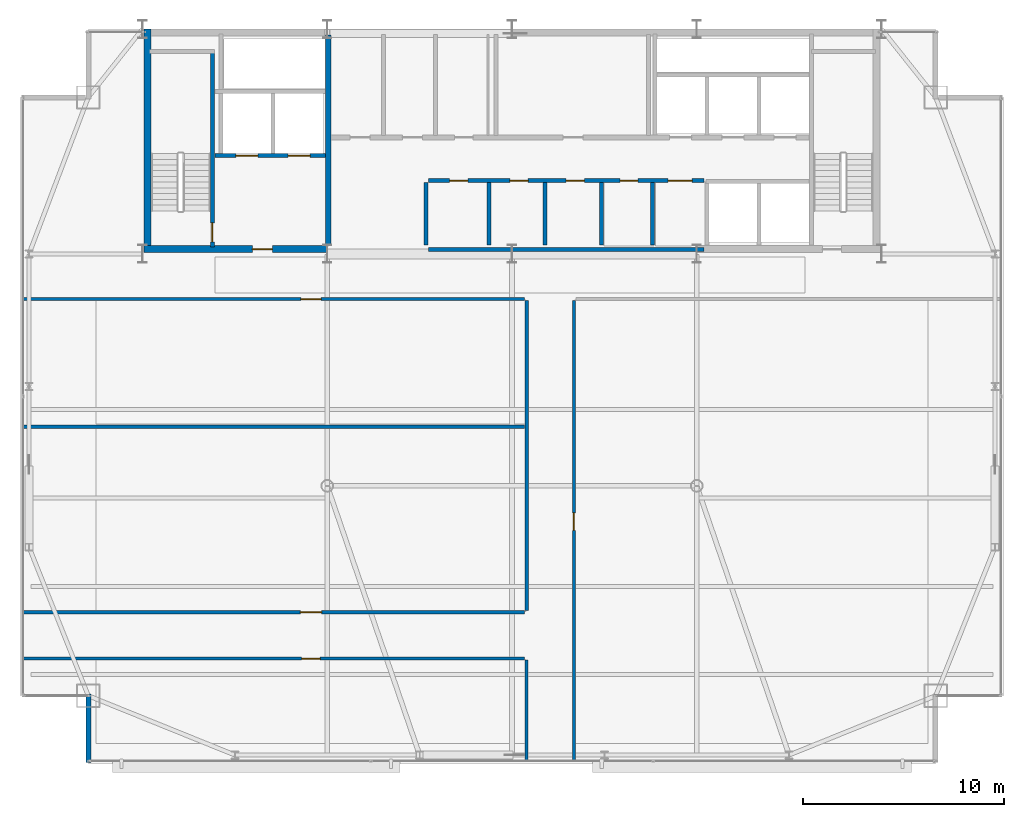
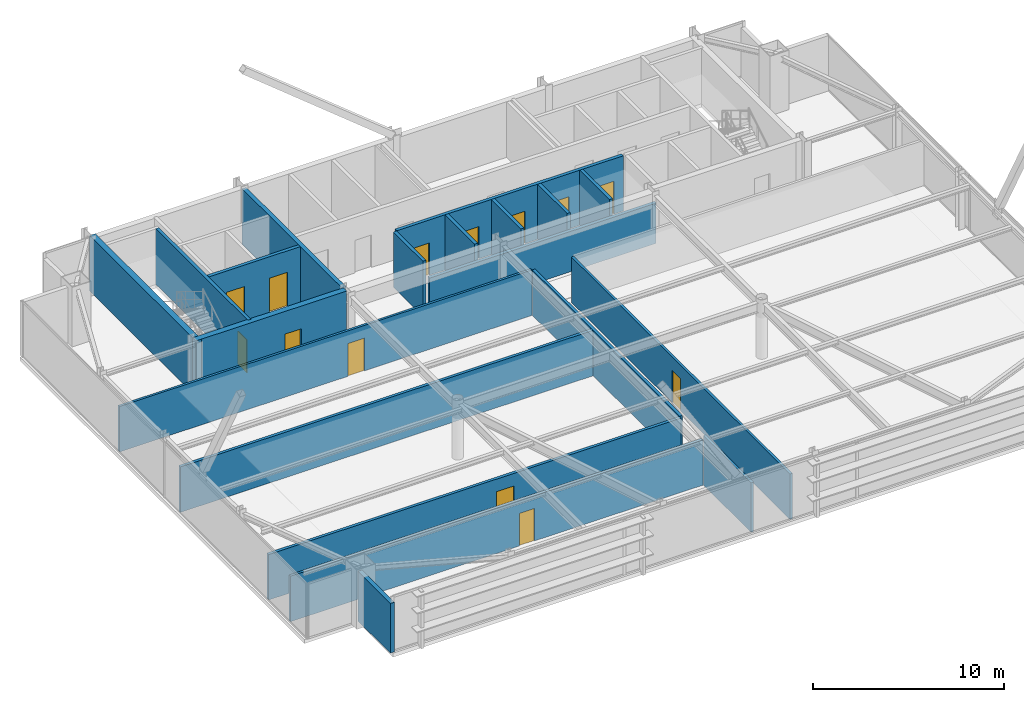
# One storey, part 24 of 27: 20 walls, 13 doors, 13 openings.
"""IFC4 building model written with IfcOpenShell, lengths in metres."""

from ifc_helpers import new_model, si_unit, direction, frame, frame_2d, origin, place, context, subcontext, project, spatial, rectangle, extrude, source, transform, mapped, material, layer, layer_set, type_object, type_shapes, element, fill, save


model = new_model("IFC4")

# Units and contexts
model_context = context("Model", 3, precision=1e-05, world=origin(), true_north=direction((0.0, 1.0)))
body_context = subcontext(model_context, "Body", "Model", "MODEL_VIEW")
ifc_project = project(units=[si_unit("LENGTHUNIT", "METRE"), si_unit("AREAUNIT", "SQUARE_METRE"), si_unit("VOLUMEUNIT", "CUBIC_METRE"), si_unit("PLANEANGLEUNIT", "RADIAN"), si_unit("MASSUNIT", "GRAM", prefix="KILO")], contexts=[model_context])

# Site, building, storey
site_placement = place(None, origin())
site = spatial("IfcSite", under=ifc_project, at=site_placement, CompositionType="ELEMENT")
building_placement = place(site_placement, origin())
building = spatial("IfcBuilding", under=site, at=building_placement, Name="Varnel Quay Broadcast Tower", CompositionType="ELEMENT")
storey_placement = place(building_placement, frame((0.0, 0.0, 243.199951171875)))
storey = spatial("IfcBuildingStorey", under=building, at=storey_placement, Name="L60", CompositionType="ELEMENT", Elevation=243.199951171875)

# Wall, opening, door
ifc_material_1 = material(Name="Concrete CSA A23.3 C50/60", Category="concrete")
ifc_layer_1 = layer(ifc_material_1, 0.199951171875, Name="Concrete CSA A23.3 C50/60")
ifc_layer_set_1 = layer_set([ifc_layer_1], Name="Concrete CSA A23.3 C50/60")
wall_type_1 = type_object("IfcWallType", Name="Wall_CoreShaftShear200", PredefinedType="SHEAR", material=ifc_layer_set_1)
wall_1_placement = place(storey_placement, frame((19.080078125, 35.949951171875, 0.0), z_axis=(0.0, 0.0, 1.0), x_axis=(0.0, 1.0, 0.0)))
wall_1 = element("IfcWall", 1, at=wall_1_placement, inside=storey, type_object=wall_type_1, Name="L60 Stair 1 East Structural Wall", PredefinedType="SHEAR", context=body_context, shape_type="SweptSolid", body=[
    extrude(rectangle(XDim=9.650146484375, YDim=0.199951171875, at=frame_2d((4.8251953125, 0.0))), origin(), (0.0, 0.0, 1.0), 3.550048828125),
])
opening_1_placement = place(wall_1_placement, frame((0.25, 0.0, 0.0)))
opening_1 = element("IfcOpeningElement", 2, at=opening_1_placement, cuts=wall_1, Name="Opening D-L60-S1", PredefinedType="OPENING", context=body_context, shape_type="SweptSolid", body=[
    extrude(rectangle(XDim=0.949951171875, YDim=2.10009765625, at=frame_2d((0.47509765625, 1.050048828125))), frame((0.0, 0.10986328125, 0.0), z_axis=(0.0, -1.0, 0.0), x_axis=(1.0, 0.0, 0.0)), (0.0, 0.0, 1.0), 0.219970703125),
])
ifc_material_2 = material(Name="Insulated Fire-Rated Hollow Steel Door", Category="steel")
door_type_1 = type_object("IfcDoorType", Name="Door_FireStair950", OperationType="NOTDEFINED", PredefinedType="DOOR", material=ifc_material_2)
shared_shape_1 = source(origin(), body_context, "Body", "SweptSolid", [
    extrude(rectangle(XDim=0.949951171875, YDim=2.10009765625, at=frame_2d((0.47509765625, 1.050048828125))), frame((0.0, 0.02490234375, 0.0), z_axis=(0.0, -1.0, 0.0), x_axis=(1.0, 0.0, 0.0)), (0.0, 0.0, 1.0), 0.050048828125),
])
type_shapes(door_type_1, [shared_shape_1])
door_1_placement = place(opening_1_placement, origin())
door_1 = element("IfcDoor", 3, at=door_1_placement, inside=storey, type_object=door_type_1, Name="L60 Stair 1 Fire Door", OperationType="SINGLE_SWING_RIGHT", OverallHeight=2.10009765625, OverallWidth=0.949951171875, PredefinedType="DOOR", context=body_context, shape_type="MappedRepresentation", body=[
    mapped(shared_shape_1, transform((0.0, 0.0, 0.0), x_axis=(1.0, 0.0, 0.0), y_axis=(0.0, 1.0, 0.0), z_axis=(0.0, 0.0, 1.0), scale=1.0)),
])
fill(opening_1, door_1)

# Wall, openings, doors
wall_2_placement = place(storey_placement, frame((19.199951171875, 40.5, 0.0), z_axis=(0.0, 0.0, 1.0), x_axis=(1.0, 0.0, 0.0)))
wall_2 = element("IfcWall", 4, at=wall_2_placement, inside=storey, type_object=wall_type_1, Name="L60 Firefighter Lift Shaft Front Wall", PredefinedType="SHEAR", context=body_context, shape_type="SweptSolid", body=[
    extrude(rectangle(XDim=5.52001953125, YDim=0.199951171875, at=frame_2d((2.760009765625, 0.0))), origin(), (0.0, 0.0, 1.0), 3.550048828125),
])
opening_2_placement = place(wall_2_placement, frame((1.050048828125, 0.0, 0.0)))
opening_2 = element("IfcOpeningElement", 5, at=opening_2_placement, cuts=wall_2, Name="Opening LD-L60-FE1", PredefinedType="OPENING", context=body_context, shape_type="SweptSolid", body=[
    extrude(rectangle(XDim=1.10009765625, YDim=2.179931640625, at=frame_2d((0.550048828125, 1.08984375))), frame((0.0, 0.10986328125, 0.0), z_axis=(0.0, -1.0, 0.0), x_axis=(1.0, 0.0, 0.0)), (0.0, 0.0, 1.0), 0.219970703125),
])
opening_3_placement = place(wall_2_placement, frame((3.64990234375, 0.0, 0.0)))
opening_3 = element("IfcOpeningElement", 6, at=opening_3_placement, cuts=wall_2, Name="Opening LD-L60-FE2", PredefinedType="OPENING", context=body_context, shape_type="SweptSolid", body=[
    extrude(rectangle(XDim=1.10009765625, YDim=2.179931640625, at=frame_2d((0.550048828125, 1.08984375))), frame((0.0, 0.10986328125, 0.0), z_axis=(0.0, -1.0, 0.0), x_axis=(1.0, 0.0, 0.0)), (0.0, 0.0, 1.0), 0.219970703125),
])
ifc_material_3 = material(Name="Brushed Bronze-Stainless Lift Car & Sliding Doors", Category="steel")
door_type_2 = type_object("IfcDoorType", Name="Door_LiftLanding1100", OperationType="SLIDING_TO_LEFT", PredefinedType="DOOR", material=ifc_material_3)
shared_shape_2 = source(origin(), body_context, "Body", "SweptSolid", [
    extrude(rectangle(XDim=1.10009765625, YDim=2.179931640625, at=frame_2d((0.550048828125, 1.08984375))), frame((0.0, 0.02490234375, 0.0), z_axis=(0.0, -1.0, 0.0), x_axis=(1.0, 0.0, 0.0)), (0.0, 0.0, 1.0), 0.050048828125),
])
type_shapes(door_type_2, [shared_shape_2])
door_2_placement = place(opening_2_placement, frame((1.10009765625, 0.0, 0.0), z_axis=(0.0, 0.0, 1.0), x_axis=(-1.0, 0.0, 0.0)))
door_2 = element("IfcDoor", 7, at=door_2_placement, inside=storey, type_object=door_type_2, Name="L60 Firefighter Lift FE-01 Landing Door", OperationType="SLIDING_TO_LEFT", OverallHeight=2.179931640625, OverallWidth=1.10009765625, PredefinedType="DOOR", context=body_context, shape_type="MappedRepresentation", body=[
    mapped(shared_shape_2, transform((0.0, 0.0, 0.0), x_axis=(1.0, 0.0, 0.0), y_axis=(0.0, 1.0, 0.0), z_axis=(0.0, 0.0, 1.0), scale=1.0)),
])
fill(opening_2, door_2)
door_3_placement = place(opening_3_placement, frame((1.10009765625, 0.0, 0.0), z_axis=(0.0, 0.0, 1.0), x_axis=(-1.0, 0.0, 0.0)))
door_3 = element("IfcDoor", 8, at=door_3_placement, inside=storey, type_object=door_type_2, Name="L60 Firefighter Lift FE-02 Landing Door", OperationType="SLIDING_TO_RIGHT", OverallHeight=2.179931640625, OverallWidth=1.10009765625, PredefinedType="DOOR", context=body_context, shape_type="MappedRepresentation", body=[
    mapped(shared_shape_2, transform((0.0, 0.0, 0.0), x_axis=(1.0, 0.0, 0.0), y_axis=(0.0, 1.0, 0.0), z_axis=(0.0, 0.0, 1.0), scale=1.0)),
])
fill(opening_3, door_3)

# Walls
ifc_layer_2 = layer(ifc_material_1, 0.25, Name="Concrete CSA A23.3 C50/60")
ifc_layer_set_2 = layer_set([ifc_layer_2], Name="Concrete CSA A23.3 C50/60")
wall_type_2 = type_object("IfcWallType", Name="Wall_CoreShaftShear250", PredefinedType="SHEAR", material=ifc_layer_set_2)
wall_3_placement = place(storey_placement, frame((24.85009765625, 36.050048828125, 0.0), z_axis=(0.0, 0.0, 1.0), x_axis=(0.0, 1.0, 0.0)))
element("IfcWall", 9, at=wall_3_placement, inside=storey, type_object=wall_type_2, Name="L60 Firefighting Lobby East Structural Wall", PredefinedType="SHEAR", context=body_context, shape_type="SweptSolid", body=[
    extrude(rectangle(XDim=10.449951171875, YDim=0.25, at=frame_2d((5.22509765625, 0.0))), origin(), (0.0, 0.0, 1.0), 3.550048828125),
])
ifc_layer_3 = layer(ifc_material_1, 0.35009765625, Name="Concrete CSA A23.3 C50/60")
ifc_layer_set_3 = layer_set([ifc_layer_3], Name="Concrete CSA A23.3 C50/60")
wall_type_3 = type_object("IfcWallType", Name="Wall_CoreShearInt350", PredefinedType="SHEAR", material=ifc_layer_set_3)
wall_4_placement = place(storey_placement, frame((15.844970703125, 35.669921875, 0.0), z_axis=(0.0, 0.0, 1.0), x_axis=(0.0, 1.0, 0.0)))
element("IfcWall", 10, at=wall_4_placement, inside=storey, type_object=wall_type_3, Name="L60 West Core Shear Wall", PredefinedType="SHEAR", context=body_context, shape_type="SweptSolid", body=[
    extrude(rectangle(XDim=11.130126953125, YDim=0.35009765625, at=frame_2d((5.56494140625, 0.0))), origin(), (0.0, 0.0, 1.0), 3.550048828125),
])

# Wall, opening, door
wall_5_placement = place(storey_placement, frame((15.669921875, 35.844970703125, 0.0), z_axis=(0.0, 0.0, 1.0), x_axis=(1.0, 0.0, 0.0)))
wall_5 = element("IfcWall", 11, at=wall_5_placement, inside=storey, type_object=wall_type_3, Name="L60 South-West Core Shear Wall", PredefinedType="SHEAR", context=body_context, shape_type="SweptSolid", body=[
    extrude(rectangle(XDim=9.130126953125, YDim=0.35009765625, at=frame_2d((4.56494140625, 0.0))), origin(), (0.0, 0.0, 1.0), 3.550048828125),
])
opening_4_placement = place(wall_5_placement, frame((5.39990234375, 0.0, 0.0)))
opening_4 = element("IfcOpeningElement", 12, at=opening_4_placement, cuts=wall_5, Name="Opening D-L60-FFL", PredefinedType="OPENING", context=body_context, shape_type="SweptSolid", body=[
    extrude(rectangle(XDim=1.0, YDim=2.10009765625, at=frame_2d((0.5, 1.050048828125))), frame((0.0, 0.18505859375, 0.0), z_axis=(0.0, -1.0, 0.0), x_axis=(1.0, 0.0, 0.0)), (0.0, 0.0, 1.0), 0.3701171875),
])
door_type_3 = type_object("IfcDoorType", Name="Door_FireLobby1000", OperationType="NOTDEFINED", PredefinedType="DOOR", material=ifc_material_2)
shared_shape_3 = source(origin(), body_context, "Body", "SweptSolid", [
    extrude(rectangle(XDim=1.0, YDim=2.10009765625, at=frame_2d((0.5, 1.050048828125))), frame((0.0, 0.02490234375, 0.0), z_axis=(0.0, -1.0, 0.0), x_axis=(1.0, 0.0, 0.0)), (0.0, 0.0, 1.0), 0.050048828125),
])
type_shapes(door_type_3, [shared_shape_3])
door_4_placement = place(opening_4_placement, origin())
door_4 = element("IfcDoor", 13, at=door_4_placement, inside=storey, type_object=door_type_3, Name="L60 Firefighting Lobby Door", OperationType="SINGLE_SWING_LEFT", OverallHeight=2.10009765625, OverallWidth=1.0, PredefinedType="DOOR", context=body_context, shape_type="MappedRepresentation", body=[
    mapped(shared_shape_3, transform((0.0, 0.0, 0.0), x_axis=(1.0, 0.0, 0.0), y_axis=(0.0, 1.0, 0.0), z_axis=(0.0, 0.0, 1.0), scale=1.0)),
])
fill(opening_4, door_4)

# Walls
ifc_material_4 = material(Name="Precast Architectural Concrete C40/50", Category="concrete")
ifc_layer_4 = layer(ifc_material_4, 0.25, Name="Precast Architectural Concrete C40/50")
ifc_layer_set_4 = layer_set([ifc_layer_4], Name="Precast Architectural Concrete C40/50")
wall_type_4 = type_object("IfcWallType", Name="Wall_ExtTerrace250", PredefinedType="SOLIDWALL", material=ifc_layer_set_4)
wall_6_placement = place(storey_placement, frame((12.89990234375, 10.280029296875, 0.0), z_axis=(0.0, 0.0, 1.0), x_axis=(0.0, 1.0, 0.0)))
element("IfcWall", 14, at=wall_6_placement, inside=storey, type_object=wall_type_4, Name="L60 Mega-Column Notch Cladding Wall NSW2", PredefinedType="SOLIDWALL", context=body_context, shape_type="SweptSolid", body=[
    extrude(rectangle(XDim=3.39990234375, YDim=0.25, at=frame_2d((1.699951171875, 0.0))), origin(), (0.0, 0.0, 1.0), 3.171142578125),
])
ifc_material_5 = material(Name="Concrete Blockwork Fire Enclosure C40/50", Category="masonry")
ifc_layer_5 = layer(ifc_material_5, 0.199951171875, Name="Concrete Blockwork Fire Enclosure C40/50")
ifc_layer_set_5 = layer_set([ifc_layer_5], Name="Concrete Blockwork Fire Enclosure C40/50")
wall_type_5 = type_object("IfcWallType", Name="Wall_FireShaft200", PredefinedType="SOLIDWALL", material=ifc_layer_set_5)
wall_7_placement = place(storey_placement, frame((29.85009765625, 35.824951171875, 0.0), z_axis=(0.0, 0.0, 1.0), x_axis=(1.0, 0.0, 0.0)))
element("IfcWall", 15, at=wall_7_placement, inside=storey, type_object=wall_type_5, Name="L60 Accessible Washroom Partition 1", PredefinedType="SOLIDWALL", context=body_context, shape_type="SweptSolid", body=[
    extrude(rectangle(XDim=13.699951171875, YDim=0.199951171875, at=frame_2d((6.85009765625, 0.0))), origin(), (0.0, 0.0, 1.0), 2.574951171875),
])

# Wall, openings, doors
wall_8_placement = place(storey_placement, frame((29.85009765625, 39.25, 0.0), z_axis=(0.0, 0.0, 1.0), x_axis=(1.0, 0.0, 0.0)))
wall_8 = element("IfcWall", 16, at=wall_8_placement, inside=storey, type_object=wall_type_5, Name="L60 Accessible Washroom Partition 3", PredefinedType="SOLIDWALL", context=body_context, shape_type="SweptSolid", body=[
    extrude(rectangle(XDim=13.699951171875, YDim=0.199951171875, at=frame_2d((6.85009765625, 0.0))), origin(), (0.0, 0.0, 1.0), 3.530029296875),
])
opening_5_placement = place(wall_8_placement, frame((1.050048828125, 0.0, 0.0)))
opening_5 = element("IfcOpeningElement", 17, at=opening_5_placement, cuts=wall_8, Name="Opening D-L60-01", PredefinedType="OPENING", context=body_context, shape_type="SweptSolid", body=[
    extrude(rectangle(XDim=0.89990234375, YDim=2.06005859375, at=frame_2d((0.449951171875, 1.030029296875))), frame((0.0, 0.10986328125, 0.0), z_axis=(0.0, -1.0, 0.0), x_axis=(1.0, 0.0, 0.0)), (0.0, 0.0, 1.0), 0.219970703125),
])
opening_6_placement = place(wall_8_placement, frame((4.050048828125, 0.0, 0.0)))
opening_6 = element("IfcOpeningElement", 18, at=opening_6_placement, cuts=wall_8, Name="Opening D-L60-02", PredefinedType="OPENING", context=body_context, shape_type="SweptSolid", body=[
    extrude(rectangle(XDim=0.89990234375, YDim=2.06005859375, at=frame_2d((0.449951171875, 1.030029296875))), frame((0.0, 0.10986328125, 0.0), z_axis=(0.0, -1.0, 0.0), x_axis=(1.0, 0.0, 0.0)), (0.0, 0.0, 1.0), 0.219970703125),
])
opening_7_placement = place(wall_8_placement, frame((6.85009765625, 0.0, 0.0)))
opening_7 = element("IfcOpeningElement", 19, at=opening_7_placement, cuts=wall_8, Name="Opening D-L60-03", PredefinedType="OPENING", context=body_context, shape_type="SweptSolid", body=[
    extrude(rectangle(XDim=0.89990234375, YDim=2.06005859375, at=frame_2d((0.449951171875, 1.030029296875))), frame((0.0, 0.10986328125, 0.0), z_axis=(0.0, -1.0, 0.0), x_axis=(1.0, 0.0, 0.0)), (0.0, 0.0, 1.0), 0.219970703125),
])
opening_8_placement = place(wall_8_placement, frame((9.534912109375, 0.0, 0.0)))
opening_8 = element("IfcOpeningElement", 20, at=opening_8_placement, cuts=wall_8, Name="Opening D-L60-04", PredefinedType="OPENING", context=body_context, shape_type="SweptSolid", body=[
    extrude(rectangle(XDim=0.8798828125, YDim=2.06005859375, at=frame_2d((0.43994140625, 1.030029296875))), frame((0.0, 0.10986328125, 0.0), z_axis=(0.0, -1.0, 0.0), x_axis=(1.0, 0.0, 0.0)), (0.0, 0.0, 1.0), 0.219970703125),
])
opening_9_placement = place(wall_8_placement, frame((11.925048828125, 0.0, 0.0)))
opening_9 = element("IfcOpeningElement", 21, at=opening_9_placement, cuts=wall_8, Name="Opening D-L60-05", PredefinedType="OPENING", context=body_context, shape_type="SweptSolid", body=[
    extrude(rectangle(XDim=1.199951171875, YDim=2.10009765625, at=frame_2d((0.60009765625, 1.050048828125))), frame((0.0, 0.10986328125, 0.0), z_axis=(0.0, -1.0, 0.0), x_axis=(1.0, 0.0, 0.0)), (0.0, 0.0, 1.0), 0.219970703125),
])
ifc_material_6 = material(Name="Solid-Core Fire-Rated Acoustic Oak Veneer Door", Category="wood")
door_type_4 = type_object("IfcDoorType", Name="Door_Washroom900", OperationType="NOTDEFINED", PredefinedType="DOOR", material=ifc_material_6)
shared_shape_4 = source(origin(), body_context, "Body", "SweptSolid", [
    extrude(rectangle(XDim=0.89990234375, YDim=2.06005859375, at=frame_2d((0.449951171875, 1.030029296875))), frame((0.0, 0.02490234375, 0.0), z_axis=(0.0, -1.0, 0.0), x_axis=(1.0, 0.0, 0.0)), (0.0, 0.0, 1.0), 0.050048828125),
])
type_shapes(door_type_4, [shared_shape_4])
door_5_placement = place(opening_5_placement, frame((0.89990234375, 0.0, 0.0), z_axis=(0.0, 0.0, 1.0), x_axis=(-1.0, 0.0, 0.0)))
door_5 = element("IfcDoor", 22, at=door_5_placement, inside=storey, type_object=door_type_4, Name="L60 Accessible Washroom Door D-L60-01", OperationType="SINGLE_SWING_LEFT", OverallHeight=2.06005859375, OverallWidth=0.89990234375, PredefinedType="DOOR", context=body_context, shape_type="MappedRepresentation", body=[
    mapped(shared_shape_4, transform((0.0, 0.0, 0.0), x_axis=(1.0, 0.0, 0.0), y_axis=(0.0, 1.0, 0.0), z_axis=(0.0, 0.0, 1.0), scale=1.0)),
])
fill(opening_5, door_5)
door_6_placement = place(opening_6_placement, frame((0.89990234375, 0.0, 0.0), z_axis=(0.0, 0.0, 1.0), x_axis=(-1.0, 0.0, 0.0)))
door_6 = element("IfcDoor", 23, at=door_6_placement, inside=storey, type_object=door_type_4, Name="L60 West Gender-Neutral Washroom Door D-L60-02", OperationType="SINGLE_SWING_RIGHT", OverallHeight=2.06005859375, OverallWidth=0.89990234375, PredefinedType="DOOR", context=body_context, shape_type="MappedRepresentation", body=[
    mapped(shared_shape_4, transform((0.0, 0.0, 0.0), x_axis=(1.0, 0.0, 0.0), y_axis=(0.0, 1.0, 0.0), z_axis=(0.0, 0.0, 1.0), scale=1.0)),
])
fill(opening_6, door_6)
door_7_placement = place(opening_7_placement, frame((0.89990234375, 0.0, 0.0), z_axis=(0.0, 0.0, 1.0), x_axis=(-1.0, 0.0, 0.0)))
door_7 = element("IfcDoor", 24, at=door_7_placement, inside=storey, type_object=door_type_4, Name="L60 East Staff Washroom Door D-L60-03", OperationType="SINGLE_SWING_LEFT", OverallHeight=2.06005859375, OverallWidth=0.89990234375, PredefinedType="DOOR", context=body_context, shape_type="MappedRepresentation", body=[
    mapped(shared_shape_4, transform((0.0, 0.0, 0.0), x_axis=(1.0, 0.0, 0.0), y_axis=(0.0, 1.0, 0.0), z_axis=(0.0, 0.0, 1.0), scale=1.0)),
])
fill(opening_7, door_7)
door_type_5 = type_object("IfcDoorType", Name="Door_Plant1200", OperationType="NOTDEFINED", PredefinedType="DOOR", material=ifc_material_2)
shared_shape_5 = source(origin(), body_context, "Body", "SweptSolid", [
    extrude(rectangle(XDim=1.199951171875, YDim=2.10009765625, at=frame_2d((0.60009765625, 1.050048828125))), frame((0.0, 0.02490234375, 0.0), z_axis=(0.0, -1.0, 0.0), x_axis=(1.0, 0.0, 0.0)), (0.0, 0.0, 1.0), 0.050048828125),
])
type_shapes(door_type_5, [shared_shape_5])
door_8_placement = place(opening_9_placement, origin())
door_8 = element("IfcDoor", 25, at=door_8_placement, inside=storey, type_object=door_type_5, Name="L60 Telecom IDF Closet Door D-L60-05", OperationType="SINGLE_SWING_LEFT", OverallHeight=2.10009765625, OverallWidth=1.199951171875, PredefinedType="DOOR", context=body_context, shape_type="MappedRepresentation", body=[
    mapped(shared_shape_5, transform((0.0, 0.0, 0.0), x_axis=(1.0, 0.0, 0.0), y_axis=(0.0, 1.0, 0.0), z_axis=(0.0, 0.0, 1.0), scale=1.0)),
])
fill(opening_9, door_8)
door_type_6 = type_object("IfcDoorType", Name="Door_Booth880", OperationType="NOTDEFINED", PredefinedType="DOOR", material=ifc_material_6)
shared_shape_6 = source(origin(), body_context, "Body", "SweptSolid", [
    extrude(rectangle(XDim=0.8798828125, YDim=2.06005859375, at=frame_2d((0.43994140625, 1.030029296875))), frame((0.0, 0.02490234375, 0.0), z_axis=(0.0, -1.0, 0.0), x_axis=(1.0, 0.0, 0.0)), (0.0, 0.0, 1.0), 0.050048828125),
])
type_shapes(door_type_6, [shared_shape_6])
door_9_placement = place(opening_8_placement, frame((0.8798828125, 0.0, 0.0), z_axis=(0.0, 0.0, 1.0), x_axis=(-1.0, 0.0, 0.0)))
door_9 = element("IfcDoor", 26, at=door_9_placement, inside=storey, type_object=door_type_6, Name="L60 Cleaners' & Linen Store Door D-L60-04", OperationType="SINGLE_SWING_RIGHT", OverallHeight=2.06005859375, OverallWidth=0.8798828125, PredefinedType="DOOR", context=body_context, shape_type="MappedRepresentation", body=[
    mapped(shared_shape_6, transform((0.0, 0.0, 0.0), x_axis=(1.0, 0.0, 0.0), y_axis=(0.0, 1.0, 0.0), z_axis=(0.0, 0.0, 1.0), scale=1.0)),
])
fill(opening_8, door_9)

# Wall
wall_9_placement = place(storey_placement, frame((41.0, 36.050048828125, 0.0), z_axis=(0.0, 0.0, 1.0), x_axis=(0.0, 1.0, 0.0)))
element("IfcWall", 27, at=wall_9_placement, inside=storey, type_object=wall_type_5, Name="L60 Cleaners' & Linen Store Partition 7", PredefinedType="SOLIDWALL", context=body_context, shape_type="SweptSolid", body=[
    extrude(rectangle(XDim=3.099853515625, YDim=0.199951171875, at=frame_2d((1.5498046875, 0.0))), origin(), (0.0, 0.0, 1.0), 3.530029296875),
])

# Wall, opening, door
ifc_material_7 = material(Name="Steel-Stud Fire-Rated Acoustic Gypsum Partition Assembly", Category="steel")
ifc_layer_6 = layer(ifc_material_7, 0.139892578125, Name="Steel-Stud Fire-Rated Acoustic Gypsum Partition Assembly")
ifc_layer_set_6 = layer_set([ifc_layer_6], Name="Steel-Stud Fire-Rated Acoustic Gypsum Partition Assembly")
wall_type_6 = type_object("IfcWallType", Name="Wall_Partition140", PredefinedType="PARTITIONING", material=ifc_layer_set_6)
wall_10_placement = place(storey_placement, frame((9.679931640625, 33.35009765625, 0.0), z_axis=(0.0, 0.0, 1.0), x_axis=(1.0, 0.0, 0.0)))
wall_10 = element("IfcWall", 28, at=wall_10_placement, inside=storey, type_object=wall_type_6, Name="L60 Producer Lounge 3 Partition 13", PredefinedType="PARTITIONING", context=body_context, shape_type="SweptSolid", body=[
    extrude(rectangle(XDim=24.949951171875, YDim=0.139892578125, at=frame_2d((12.47509765625, 0.0))), origin(), (0.0, 0.0, 1.0), 2.907958984375),
])
opening_10_placement = place(wall_10_placement, frame((13.81005859375, 0.0, 0.0)))
opening_10 = element("IfcOpeningElement", 29, at=opening_10_placement, cuts=wall_10, Name="Opening D-L60-08", PredefinedType="OPENING", context=body_context, shape_type="SweptSolid", body=[
    extrude(rectangle(XDim=1.0, YDim=2.10009765625, at=frame_2d((0.5, 1.050048828125))), frame((0.0, 0.080078125, 0.0), z_axis=(0.0, -1.0, 0.0), x_axis=(1.0, 0.0, 0.0)), (0.0, 0.0, 1.0), 0.159912109375),
])
door_type_7 = type_object("IfcDoorType", Name="Door_Exec1000", OperationType="NOTDEFINED", PredefinedType="DOOR", material=ifc_material_6)
shared_shape_7 = source(origin(), body_context, "Body", "SweptSolid", [
    extrude(rectangle(XDim=1.0, YDim=2.10009765625, at=frame_2d((0.5, 1.050048828125))), frame((0.0, 0.02490234375, 0.0), z_axis=(0.0, -1.0, 0.0), x_axis=(1.0, 0.0, 0.0)), (0.0, 0.0, 1.0), 0.050048828125),
])
type_shapes(door_type_7, [shared_shape_7])
door_10_placement = place(opening_10_placement, frame((1.0, 0.0, 0.0), z_axis=(0.0, 0.0, 1.0), x_axis=(-1.0, 0.0, 0.0)))
door_10 = element("IfcDoor", 30, at=door_10_placement, inside=storey, type_object=door_type_7, Name="L60 Producer Lounge 3 Door D-L60-08", OperationType="SINGLE_SWING_RIGHT", OverallHeight=2.10009765625, OverallWidth=1.0, PredefinedType="DOOR", context=body_context, shape_type="MappedRepresentation", body=[
    mapped(shared_shape_7, transform((0.0, 0.0, 0.0), x_axis=(1.0, 0.0, 0.0), y_axis=(0.0, 1.0, 0.0), z_axis=(0.0, 0.0, 1.0), scale=1.0)),
])
fill(opening_10, door_10)

# Wall
ifc_layer_7 = layer(ifc_material_7, 0.14990234375, Name="Steel-Stud Fire-Rated Acoustic Gypsum Partition Assembly")
ifc_layer_set_7 = layer_set([ifc_layer_7], Name="Steel-Stud Fire-Rated Acoustic Gypsum Partition Assembly")
wall_type_7 = type_object("IfcWallType", Name="Wall_Partition150", PredefinedType="PARTITIONING", material=ifc_layer_set_7)
wall_11_placement = place(storey_placement, frame((34.72998046875, 10.3798828125, 0.0), z_axis=(0.0, 0.0, 1.0), x_axis=(0.0, 1.0, 0.0)))
element("IfcWall", 31, at=wall_11_placement, inside=storey, type_object=wall_type_7, Name="L60 Color Timing Suite 1 Partition 8", PredefinedType="PARTITIONING", context=body_context, shape_type="SweptSolid", body=[
    extrude(rectangle(XDim=4.9951171875, YDim=0.14990234375, at=frame_2d((2.49755859375, 0.0))), origin(), (0.0, 0.0, 1.0), 3.171142578125),
])

# Wall, opening, door
wall_12_placement = place(storey_placement, frame((9.679931640625, 15.449951171875, 0.0), z_axis=(0.0, 0.0, 1.0), x_axis=(1.0, 0.0, 0.0)))
wall_12 = element("IfcWall", 32, at=wall_12_placement, inside=storey, type_object=wall_type_7, Name="L60 Color Timing Suite 1 Partition 9", PredefinedType="PARTITIONING", context=body_context, shape_type="SweptSolid", body=[
    extrude(rectangle(XDim=24.949951171875, YDim=0.14990234375, at=frame_2d((12.47509765625, 0.0))), origin(), (0.0, 0.0, 1.0), 2.907958984375),
])
opening_11_placement = place(wall_12_placement, frame((13.85009765625, 0.0, 0.0)))
opening_11 = element("IfcOpeningElement", 33, at=opening_11_placement, cuts=wall_12, Name="Opening D-L60-06", PredefinedType="OPENING", context=body_context, shape_type="SweptSolid", body=[
    extrude(rectangle(XDim=0.919921875, YDim=2.080078125, at=frame_2d((0.4599609375, 1.0400390625))), frame((0.0, 0.0849609375, 0.0), z_axis=(0.0, -1.0, 0.0), x_axis=(1.0, 0.0, 0.0)), (0.0, 0.0, 1.0), 0.169921875),
])
door_type_8 = type_object("IfcDoorType", Name="Door_Office920", OperationType="NOTDEFINED", PredefinedType="DOOR", material=ifc_material_6)
shared_shape_8 = source(origin(), body_context, "Body", "SweptSolid", [
    extrude(rectangle(XDim=0.919921875, YDim=2.080078125, at=frame_2d((0.4599609375, 1.0400390625))), frame((0.0, 0.02490234375, 0.0), z_axis=(0.0, -1.0, 0.0), x_axis=(1.0, 0.0, 0.0)), (0.0, 0.0, 1.0), 0.050048828125),
])
type_shapes(door_type_8, [shared_shape_8])
door_11_placement = place(opening_11_placement, frame((0.919921875, 0.0, 0.0), z_axis=(0.0, 0.0, 1.0), x_axis=(-1.0, 0.0, 0.0)))
door_11 = element("IfcDoor", 34, at=door_11_placement, inside=storey, type_object=door_type_8, Name="L60 Color Timing Suite 1 Door D-L60-06", OperationType="SINGLE_SWING_RIGHT", OverallHeight=2.080078125, OverallWidth=0.919921875, PredefinedType="DOOR", context=body_context, shape_type="MappedRepresentation", body=[
    mapped(shared_shape_8, transform((0.0, 0.0, 0.0), x_axis=(1.0, 0.0, 0.0), y_axis=(0.0, 1.0, 0.0), z_axis=(0.0, 0.0, 1.0), scale=1.0)),
])
fill(opening_11, door_11)

wall_13_placement = place(storey_placement, frame((37.080078125, 10.3798828125, 0.0), z_axis=(0.0, 0.0, 1.0), x_axis=(0.0, 1.0, 0.0)))
wall_13 = element("IfcWall", 35, at=wall_13_placement, inside=storey, type_object=wall_type_7, Name="L60 Tea Kitchen 4 Partition 15", PredefinedType="PARTITIONING", context=body_context, shape_type="SweptSolid", body=[
    extrude(rectangle(XDim=22.89501953125, YDim=0.14990234375, at=frame_2d((11.447509765625, 0.0))), origin(), (0.0, 0.0, 1.0), 2.907958984375),
])
opening_12_placement = place(wall_13_placement, frame((11.449951171875, 0.0, 0.0)))
opening_12 = element("IfcOpeningElement", 36, at=opening_12_placement, cuts=wall_13, Name="Opening D-L60-09", PredefinedType="OPENING", context=body_context, shape_type="SweptSolid", body=[
    extrude(rectangle(XDim=0.8798828125, YDim=2.06005859375, at=frame_2d((0.43994140625, 1.030029296875))), frame((0.0, 0.0849609375, 0.0), z_axis=(0.0, -1.0, 0.0), x_axis=(1.0, 0.0, 0.0)), (0.0, 0.0, 1.0), 0.169921875),
])
door_12_placement = place(opening_12_placement, frame((0.8798828125, 0.0, 0.0), z_axis=(0.0, 0.0, 1.0), x_axis=(-1.0, 0.0, 0.0)))
door_12 = element("IfcDoor", 37, at=door_12_placement, inside=storey, type_object=door_type_6, Name="L60 Tea Kitchen 4 Door D-L60-09", OperationType="SINGLE_SWING_LEFT", OverallHeight=2.06005859375, OverallWidth=0.8798828125, PredefinedType="DOOR", context=body_context, shape_type="MappedRepresentation", body=[
    mapped(shared_shape_6, transform((0.0, 0.0, 0.0), x_axis=(1.0, 0.0, 0.0), y_axis=(0.0, 1.0, 0.0), z_axis=(0.0, 0.0, 1.0), scale=1.0)),
])
fill(opening_12, door_12)

ifc_layer_8 = layer(ifc_material_7, 0.175048828125, Name="Steel-Stud Fire-Rated Acoustic Gypsum Partition Assembly")
ifc_layer_set_8 = layer_set([ifc_layer_8], Name="Steel-Stud Fire-Rated Acoustic Gypsum Partition Assembly")
wall_type_8 = type_object("IfcWallType", Name="Wall_Partition175", PredefinedType="PARTITIONING", material=ifc_layer_set_8)
wall_14_placement = place(storey_placement, frame((9.679931640625, 17.75, 0.0), z_axis=(0.0, 0.0, 1.0), x_axis=(1.0, 0.0, 0.0)))
wall_14 = element("IfcWall", 38, at=wall_14_placement, inside=storey, type_object=wall_type_8, Name="L60 Screening Meeting Room 2 Partition 10", PredefinedType="PARTITIONING", context=body_context, shape_type="SweptSolid", body=[
    extrude(rectangle(XDim=24.949951171875, YDim=0.175048828125, at=frame_2d((12.47509765625, 0.0))), origin(), (0.0, 0.0, 1.0), 2.907958984375),
])
opening_13_placement = place(wall_14_placement, frame((13.784912109375, 0.0, 0.0)))
opening_13 = element("IfcOpeningElement", 39, at=opening_13_placement, cuts=wall_14, Name="Opening D-L60-07", PredefinedType="OPENING", context=body_context, shape_type="SweptSolid", body=[
    extrude(rectangle(XDim=1.050048828125, YDim=2.10009765625, at=frame_2d((0.52490234375, 1.050048828125))), frame((0.0, 0.09765625, 0.0), z_axis=(0.0, -1.0, 0.0), x_axis=(1.0, 0.0, 0.0)), (0.0, 0.0, 1.0), 0.195068359375),
])
door_type_9 = type_object("IfcDoorType", Name="Door_Meeting1050", OperationType="NOTDEFINED", PredefinedType="DOOR", material=ifc_material_6)
shared_shape_9 = source(origin(), body_context, "Body", "SweptSolid", [
    extrude(rectangle(XDim=1.050048828125, YDim=2.10009765625, at=frame_2d((0.52490234375, 1.050048828125))), frame((0.0, 0.02490234375, 0.0), z_axis=(0.0, -1.0, 0.0), x_axis=(1.0, 0.0, 0.0)), (0.0, 0.0, 1.0), 0.050048828125),
])
type_shapes(door_type_9, [shared_shape_9])
door_13_placement = place(opening_13_placement, origin())
door_13 = element("IfcDoor", 40, at=door_13_placement, inside=storey, type_object=door_type_9, Name="L60 Screening Meeting Room 2 Door D-L60-07", OperationType="SINGLE_SWING_LEFT", OverallHeight=2.10009765625, OverallWidth=1.050048828125, PredefinedType="DOOR", context=body_context, shape_type="MappedRepresentation", body=[
    mapped(shared_shape_9, transform((0.0, 0.0, 0.0), x_axis=(1.0, 0.0, 0.0), y_axis=(0.0, 1.0, 0.0), z_axis=(0.0, 0.0, 1.0), scale=1.0)),
])
fill(opening_13, door_13)

# Walls
wall_15_placement = place(storey_placement, frame((34.72998046875, 17.8369140625, 0.0), z_axis=(0.0, 0.0, 1.0), x_axis=(0.0, 1.0, 0.0)))
element("IfcWall", 41, at=wall_15_placement, inside=storey, type_object=wall_type_8, Name="L60 Screening Meeting Room 2 Partition 11", PredefinedType="PARTITIONING", context=body_context, shape_type="SweptSolid", body=[
    extrude(rectangle(XDim=15.443115234375, YDim=0.175048828125, at=frame_2d((7.7216796875, 0.0))), origin(), (0.0, 0.0, 1.0), 2.907958984375),
])
wall_16_placement = place(storey_placement, frame((9.679931640625, 26.989990234375, 0.0), z_axis=(0.0, 0.0, 1.0), x_axis=(1.0, 0.0, 0.0)))
element("IfcWall", 42, at=wall_16_placement, inside=storey, type_object=wall_type_8, Name="L60 Screening Meeting Room 2 Partition 12", PredefinedType="PARTITIONING", context=body_context, shape_type="SweptSolid", body=[
    extrude(rectangle(XDim=24.949951171875, YDim=0.175048828125, at=frame_2d((12.47509765625, 0.0))), origin(), (0.0, 0.0, 1.0), 2.907958984375),
])
ifc_material_8 = material(Name="Fire-Rated Moisture-Resistant Plumbing Chase Partition")
ifc_layer_9 = layer(ifc_material_8, 0.199951171875, Name="Fire-Rated Moisture-Resistant Plumbing Chase Partition")
ifc_layer_set_9 = layer_set([ifc_layer_9], Name="Fire-Rated Moisture-Resistant Plumbing Chase Partition")
wall_type_9 = type_object("IfcWallType", Name="Wall_Plumbing200", PredefinedType="PLUMBINGWALL", material=ifc_layer_set_9)
for number, where, z_axis, x_axis, name in (
    (43, (32.85009765625, 36.050048828125, 0.0), (0.0, 0.0, 1.0), (0.0, 1.0, 0.0), "L60 Accessible Washroom Partition 2"),
    (44, (29.72509765625, 36.050048828125, 0.0), (0.0, 0.0, 1.0), (0.0, 1.0, 0.0), "L60 Accessible Washroom Partition 4"),
    (45, (35.64990234375, 36.050048828125, 0.0), (0.0, 0.0, 1.0), (0.0, 1.0, 0.0), "L60 West Gender-Neutral Washroom Partition 5"),
    (46, (38.449951171875, 36.050048828125, 0.0), (0.0, 0.0, 1.0), (0.0, 1.0, 0.0), "L60 East Staff Washroom Partition 6"),
):
    element("IfcWall", number, at=place(storey_placement, frame(where, z_axis=z_axis, x_axis=x_axis)), inside=storey, type_object=wall_type_9, Name=name, PredefinedType="PLUMBINGWALL", context=body_context, shape_type="SweptSolid", body=[
        extrude(rectangle(XDim=3.099853515625, YDim=0.199951171875, at=frame_2d((1.5498046875, 0.0))), origin(), (0.0, 0.0, 1.0), 3.530029296875),
    ])

save(model, "model.ifc")
